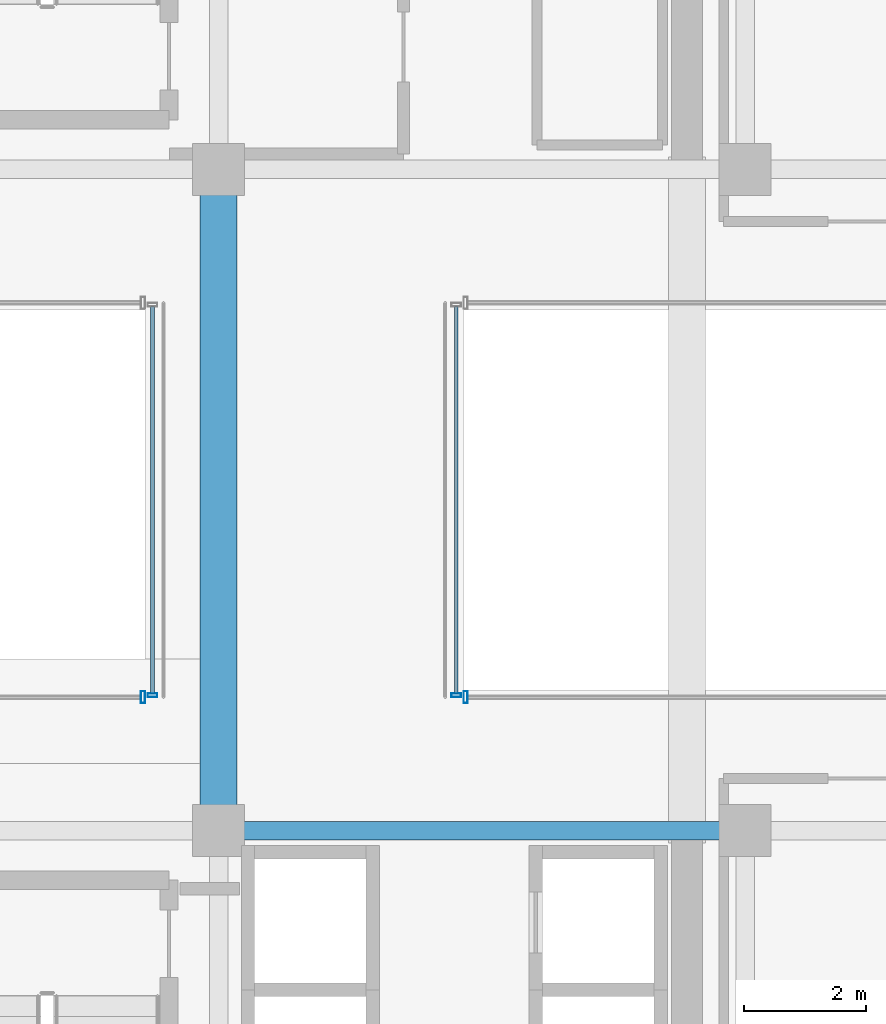
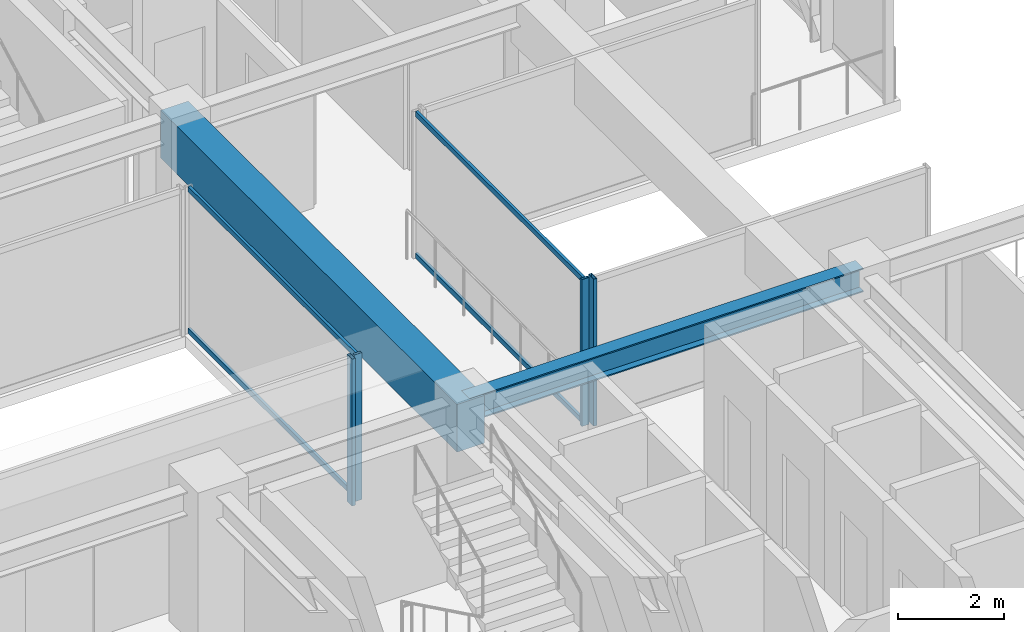
# One storey, part 17 of 43: 8 members, 2 beams, 4 elements without a shape of their own.
"""IFC4 building model written with IfcOpenShell, lengths in metres."""

from ifc_helpers import new_model, si_unit, direction, frame, origin, origin_2d, place, context, subcontext, project, spatial, rectangle, hollow_rectangle, i_section, extrude, source, transform, mapped, material, material_profile, profile_set, type_object, element, aggregate, save


model = new_model("IFC4")

# Units and contexts
model_context = context("Model", 3, precision=1e-05, world=origin(), true_north=direction((0.0, 1.0)))
body_context = subcontext(model_context, "Body", "Model", "MODEL_VIEW")
ifc_project = project(units=[si_unit("LENGTHUNIT", "METRE"), si_unit("AREAUNIT", "SQUARE_METRE"), si_unit("VOLUMEUNIT", "CUBIC_METRE"), si_unit("PLANEANGLEUNIT", "RADIAN"), si_unit("MASSUNIT", "GRAM", prefix="KILO")], contexts=[model_context])

# Site, building, storey
site_placement = place(None, origin())
site = spatial("IfcSite", under=ifc_project, at=site_placement, CompositionType="ELEMENT")
building_placement = place(site_placement, origin())
building = spatial("IfcBuilding", under=site, at=building_placement, Name="Nahalor Promenade Grand Hotel", CompositionType="ELEMENT")
storey_placement = place(building_placement, frame((0.0, 0.0, 181.85009765625)))
storey = spatial("IfcBuildingStorey", under=building, at=storey_placement, Name="L46", CompositionType="ELEMENT", Elevation=181.85009765625)

# Beams
ifc_material_1 = material(Name="Concrete B-60 (C50/60)", Category="concrete")
ifc_material_profile_1 = material_profile(ifc_material_1, rectangle(XDim=0.6, YDim=1.1, at=origin_2d()), Name="RC 600x1100")
ifc_profile_set_1 = profile_set([ifc_material_profile_1], Name="Concrete B-60 (C50/60)")
beam_type_1 = type_object("IfcBeamType", Name="Beam-Lintel-RC1100", PredefinedType="LINTEL", material=ifc_profile_set_1)
shared_shape_1 = source(origin(), body_context, "Body", "SweptSolid", [
    extrude(rectangle(XDim=0.6, YDim=1.1, at=origin_2d()), origin(), (0.0, 0.0, 1.0), 11.2001953125),
])
beam_1_placement = place(storey_placement, frame((8.39990234375, -5.60009765625, 2.83984375), z_axis=(0.0, 1.0, 0.0), x_axis=(-1.0, 0.0, 0.0)))
element("IfcBeam", 1, at=beam_1_placement, inside=storey, type_object=beam_type_1, Name="BM-L46-LINT-W", PredefinedType="LINTEL", context=body_context, shape_type="MappedRepresentation", body=[
    mapped(shared_shape_1, transform((0.0, 0.0, 0.0), scale=1.0)),
])
ifc_material_2 = material(Name="Steel S355JR", Category="steel")
ifc_material_profile_2 = material_profile(ifc_material_2, i_section(OverallWidth=0.3, OverallDepth=0.55, WebThickness=0.015, FlangeThickness=0.029, at=origin_2d()), Name="HEB 550")
ifc_profile_set_2 = profile_set([ifc_material_profile_2], Name="Steel S355JR")
beam_type_2 = type_object("IfcBeamType", Name="Beam-Girder-HEB550", PredefinedType="BEAM", material=ifc_profile_set_2)
shared_shape_2 = source(origin(), body_context, "Body", "SweptSolid", [
    extrude(i_section(OverallWidth=0.3, OverallDepth=0.55, WebThickness=0.015, FlangeThickness=0.029, at=origin_2d()), origin(), (0.0, 0.0, 1.0), 8.60009765625),
])
beam_2_placement = place(storey_placement, frame((8.39990234375, -5.39990234375, 3.114990234375), z_axis=(1.0, 0.0, 0.0), x_axis=(0.0, 1.0, 0.0)))
element("IfcBeam", 2, at=beam_2_placement, inside=storey, type_object=beam_type_2, Name="BM-L46-GX-1-5", PredefinedType="BEAM", context=body_context, shape_type="MappedRepresentation", body=[
    mapped(shared_shape_2, transform((0.0, 0.0, 0.0), scale=1.0)),
])

# Curtain wall, members
ifc_material_3 = material(Name="Anodised Bronze Aluminium EN AW-6063 T6", Category="aluminium")
curtain_wall_type_1 = type_object("IfcCurtainWallType", Name="CW4 Low-Iron Sky-Gallery Bridge Curtain Wall", PredefinedType="USERDEFINED", material=ifc_material_3)
curtain_wall_1_placement = place(storey_placement, origin())
curtain_wall_1 = element("IfcCurtainWall", 3, at=curtain_wall_1_placement, inside=storey, type_object=curtain_wall_type_1, Name="L46 Curtain Wall CW-L46-BRG-W", ObjectType="UNITISED_CURTAIN_WALL", PredefinedType="USERDEFINED")
ifc_material_profile_3 = material_profile(ifc_material_3, hollow_rectangle(XDim=0.06, YDim=0.12, WallThickness=0.004, at=origin_2d()), Name="CWT 60x120x4")
ifc_profile_set_3 = profile_set([ifc_material_profile_3], Name="Anodised Bronze Aluminium EN AW-6063 T6")
member_type_1 = type_object("IfcMemberType", Name="CWT4 Sky-Gallery Slim Transom 60x120", PredefinedType="USERDEFINED", material=ifc_profile_set_3)
shared_shape_3 = source(origin(), body_context, "Body", "SweptSolid", [
    extrude(hollow_rectangle(XDim=0.06, YDim=0.12, WallThickness=0.004, at=origin_2d()), origin(), (0.0, 0.0, 1.0), 6.31982421875),
])
member_1_placement = place(storey_placement, frame((7.320068359375, -3.159912109375, 0.059814453125), z_axis=(0.0, 1.0, 0.0), x_axis=(-1.0, 0.0, 0.0)))
member_1 = element("IfcMember", 4, at=member_1_placement, type_object=member_type_1, Name="CW-L46-BRG-W Transom 0-0", ObjectType="TRANSOM", PredefinedType="USERDEFINED", context=body_context, shape_type="MappedRepresentation", body=[
    mapped(shared_shape_3, transform((0.0, 0.0, 0.0), scale=1.0)),
])
member_2_placement = place(storey_placement, frame((7.320068359375, -3.159912109375, 3.329833984375), z_axis=(0.0, 1.0, 0.0), x_axis=(-1.0, 0.0, 0.0)))
member_2 = element("IfcMember", 5, at=member_2_placement, type_object=member_type_1, Name="CW-L46-BRG-W Transom 0-1", ObjectType="TRANSOM", PredefinedType="USERDEFINED", context=body_context, shape_type="MappedRepresentation", body=[
    mapped(shared_shape_3, transform((0.0, 0.0, 0.0), scale=1.0)),
])

curtain_wall_2_placement = place(storey_placement, origin())
curtain_wall_2 = element("IfcCurtainWall", 6, at=curtain_wall_2_placement, inside=storey, type_object=curtain_wall_type_1, Name="L46 Curtain Wall CW-L46-BRG-E", ObjectType="UNITISED_CURTAIN_WALL", PredefinedType="USERDEFINED")
member_3_placement = place(storey_placement, frame((12.280029296875, -3.159912109375, 0.059814453125), z_axis=(0.0, 1.0, 0.0), x_axis=(-1.0, 0.0, 0.0)))
member_3 = element("IfcMember", 7, at=member_3_placement, type_object=member_type_1, Name="CW-L46-BRG-E Transom 0-0", ObjectType="TRANSOM", PredefinedType="USERDEFINED", context=body_context, shape_type="MappedRepresentation", body=[
    mapped(shared_shape_3, transform((0.0, 0.0, 0.0), scale=1.0)),
])
member_4_placement = place(storey_placement, frame((12.280029296875, -3.159912109375, 3.329833984375), z_axis=(0.0, 1.0, 0.0), x_axis=(-1.0, 0.0, 0.0)))
member_4 = element("IfcMember", 8, at=member_4_placement, type_object=member_type_1, Name="CW-L46-BRG-E Transom 0-1", ObjectType="TRANSOM", PredefinedType="USERDEFINED", context=body_context, shape_type="MappedRepresentation", body=[
    mapped(shared_shape_3, transform((0.0, 0.0, 0.0), scale=1.0)),
])

# Curtain wall, member
curtain_wall_type_2 = type_object("IfcCurtainWallType", Name="CW3 Elliptical-Void Collar Unitised Curtain Wall", PredefinedType="USERDEFINED", material=ifc_material_3)
curtain_wall_3_placement = place(storey_placement, origin())
curtain_wall_3 = element("IfcCurtainWall", 9, at=curtain_wall_3_placement, inside=storey, type_object=curtain_wall_type_2, Name="L46 Curtain Wall CW-L46-VOID-WS1", ObjectType="UNITISED_CURTAIN_WALL", PredefinedType="USERDEFINED")
ifc_material_profile_4 = material_profile(ifc_material_3, hollow_rectangle(XDim=0.07, YDim=0.2, WallThickness=0.005, at=origin_2d()), Name="CWM 70x200x5")
ifc_profile_set_4 = profile_set([ifc_material_profile_4], Name="Anodised Bronze Aluminium EN AW-6063 T6")
member_type_2 = type_object("IfcMemberType", Name="CWM3 Void Collar Mullion 70x200", PredefinedType="MULLION", material=ifc_profile_set_4)
shared_shape_4 = source(origin(), body_context, "Body", "SweptSolid", [
    extrude(hollow_rectangle(XDim=0.07, YDim=0.2, WallThickness=0.005, at=origin_2d()), origin(), (0.0, 0.0, 1.0), 3.389892578125),
])
member_5_placement = place(storey_placement, frame((7.1650390625, -3.219970703125, 0.0), z_axis=(0.0, 0.0, 1.0), x_axis=(1.0, 0.0, 0.0)))
member_5 = element("IfcMember", 10, at=member_5_placement, type_object=member_type_2, Name="CW-L46-VOID-WS1 Mullion 3", PredefinedType="MULLION", context=body_context, shape_type="MappedRepresentation", body=[
    mapped(shared_shape_4, transform((0.0, 0.0, 0.0), scale=1.0)),
])
aggregate(curtain_wall_3, [member_5])

curtain_wall_4_placement = place(storey_placement, origin())
curtain_wall_4 = element("IfcCurtainWall", 11, at=curtain_wall_4_placement, inside=storey, type_object=curtain_wall_type_2, Name="L46 Curtain Wall CW-L46-VOID-ES1", ObjectType="UNITISED_CURTAIN_WALL", PredefinedType="USERDEFINED")
member_6_placement = place(storey_placement, frame((12.43505859375, -3.219970703125, 0.0), z_axis=(0.0, 0.0, 1.0), x_axis=(1.0, 0.0, 0.0)))
member_6 = element("IfcMember", 12, at=member_6_placement, type_object=member_type_2, Name="CW-L46-VOID-ES1 Mullion 0", PredefinedType="MULLION", context=body_context, shape_type="MappedRepresentation", body=[
    mapped(shared_shape_4, transform((0.0, 0.0, 0.0), scale=1.0)),
])
aggregate(curtain_wall_4, [member_6])

# Member
ifc_material_profile_5 = material_profile(ifc_material_3, hollow_rectangle(XDim=0.06, YDim=0.16, WallThickness=0.004, at=origin_2d()), Name="CWM 60x160x4")
ifc_profile_set_5 = profile_set([ifc_material_profile_5], Name="Anodised Bronze Aluminium EN AW-6063 T6")
member_type_3 = type_object("IfcMemberType", Name="CWM4 Sky-Gallery Slim Mullion 60x160", PredefinedType="MULLION", material=ifc_profile_set_5)
shared_shape_5 = source(origin(), body_context, "Body", "SweptSolid", [
    extrude(hollow_rectangle(XDim=0.06, YDim=0.16, WallThickness=0.004, at=origin_2d()), origin(), (0.0, 0.0, 1.0), 3.389892578125),
])
member_7_placement = place(storey_placement, frame((7.320068359375, -3.18994140625, 0.0), z_axis=(0.0, 0.0, 1.0), x_axis=(0.0, 1.0, 0.0)))
member_7 = element("IfcMember", 13, at=member_7_placement, type_object=member_type_3, Name="CW-L46-BRG-W Mullion 0", PredefinedType="MULLION", context=body_context, shape_type="MappedRepresentation", body=[
    mapped(shared_shape_5, transform((0.0, 0.0, 0.0), scale=1.0)),
])

aggregate(curtain_wall_1, [member_7, member_1, member_2])

member_8_placement = place(storey_placement, frame((12.280029296875, -3.18994140625, 0.0), z_axis=(0.0, 0.0, 1.0), x_axis=(0.0, 1.0, 0.0)))
member_8 = element("IfcMember", 14, at=member_8_placement, type_object=member_type_3, Name="CW-L46-BRG-E Mullion 0", PredefinedType="MULLION", context=body_context, shape_type="MappedRepresentation", body=[
    mapped(shared_shape_5, transform((0.0, 0.0, 0.0), scale=1.0)),
])

aggregate(curtain_wall_2, [member_8, member_3, member_4])

save(model, "model.ifc")
